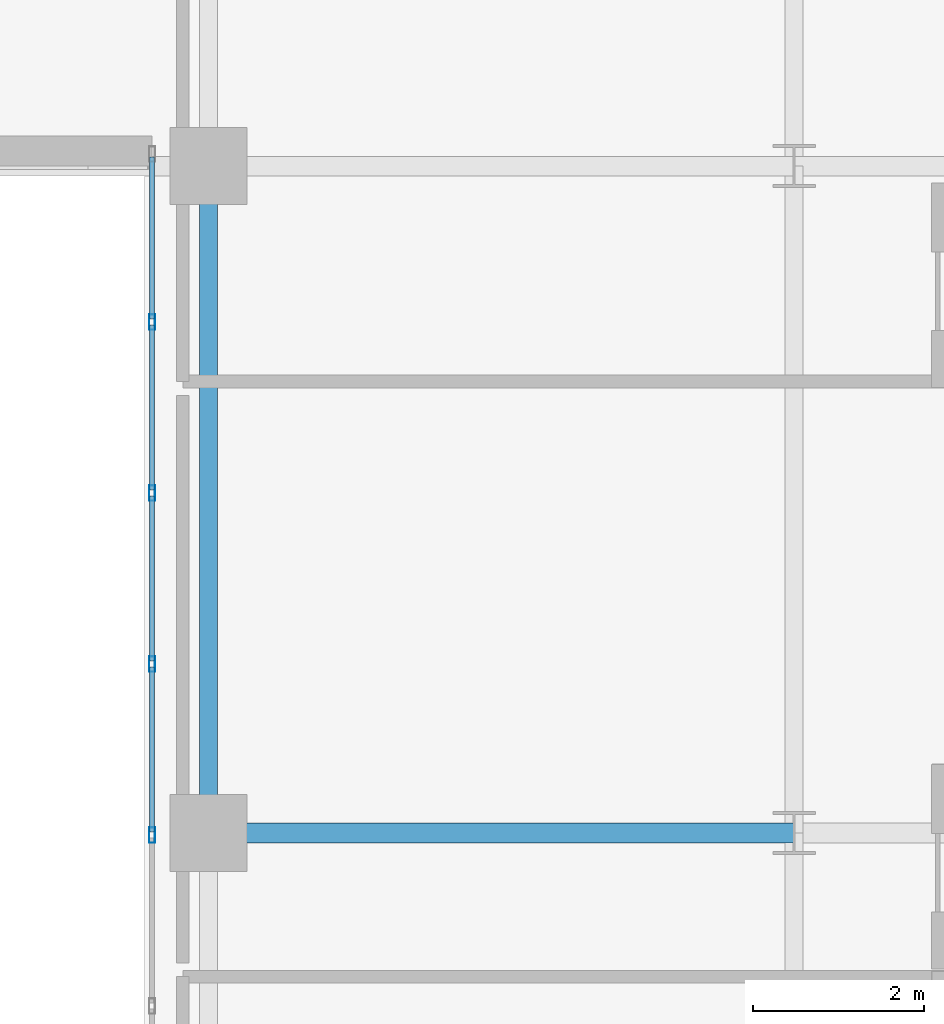
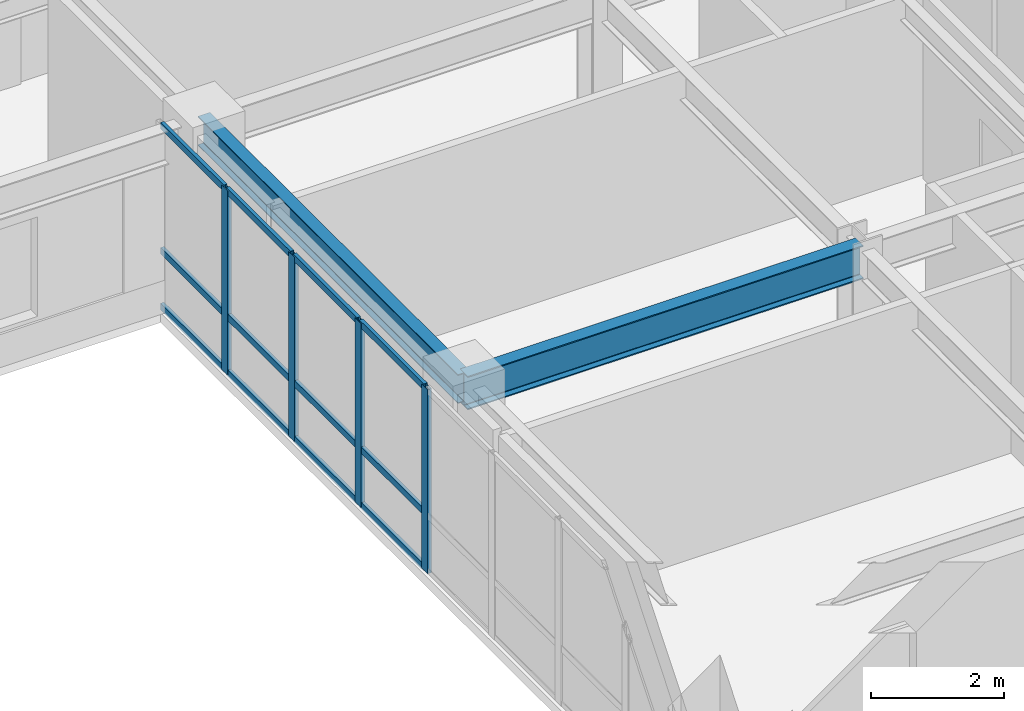
# One storey, part 9 of 25: 16 members, 2 beams, 1 element without a shape of its own.
"""IFC4 building model written with IfcOpenShell, lengths in metres."""

import ifcopenshell
import ifcopenshell.guid

model = None  # the IFC model being written
_history = None  # IfcOwnerHistory: only IFC2X3 demands one
_inside = {}  # id of a spatial element -> (the spatial element, [elements in it])
_under = {}  # id of a project, library or spatial element -> (it, [spatial elements below it])
_declared = {}  # id of a project -> (the project, [libraries it declares])
_typed = {}  # id of a type object -> (the type object, [elements of that type])
_made_of = {}  # id of a material, layer set ... -> (it, [elements and type objects made of it])


def new_model(schema):
    """Start an empty IFC model of exactly this schema.

    Asked for "IFC4X3", IfcOpenShell would pick the latest addendum, in which some entities
    have other attributes; the version numbers below select the first issue.
    IFC2X3 requires an IfcOwnerHistory on every rooted entity: one is made here for all.
    """
    global model, _history
    if schema == "IFC4X3":
        model = ifcopenshell.file(schema_version=(4, 3, 0, 0))
    else:
        model = ifcopenshell.file(schema=schema)
    _inside.clear()
    _under.clear()
    _declared.clear()
    _typed.clear()
    _made_of.clear()
    _history = None
    if model.schema == "IFC2X3":
        org = make("IfcOrganization", Name="unknown")
        user = make(
            "IfcPersonAndOrganization",
            ThePerson=make("IfcPerson", FamilyName="unknown"),
            TheOrganization=org,
        )
        app = make(
            "IfcApplication",
            ApplicationDeveloper=org,
            Version="unknown",
            ApplicationFullName="unknown",
            ApplicationIdentifier="unknown",
        )
        _history = make(
            "IfcOwnerHistory",
            OwningUser=user,
            OwningApplication=app,
            ChangeAction="ADDED",
            CreationDate=0,
        )
    return model


def make(cls, **values):
    """One entity of the class cls with the attributes given. An attribute that is None is left unset."""
    return model.create_entity(
        cls, **{name: value for name, value in values.items() if value is not None}
    )


def rooted(cls, **values):
    """An entity with a GlobalId (a new one), such as an element, a storey or a relation."""
    return make(cls, GlobalId=ifcopenshell.guid.new(), OwnerHistory=_history, **values)


def si_unit(unit_type, name, prefix=None):
    """IfcSIUnit, for example si_unit("LENGTHUNIT", "METRE", prefix="MILLI")."""
    return make("IfcSIUnit", UnitType=unit_type, Prefix=prefix, Name=name)


def assignment(units):
    """IfcUnitAssignment: the units of a project."""
    return None if units is None else make("IfcUnitAssignment", Units=units)


def point(xyz):
    """IfcCartesianPoint."""
    return None if xyz is None else make("IfcCartesianPoint", Coordinates=xyz)


def direction(xyz):
    """IfcDirection."""
    return None if xyz is None else make("IfcDirection", DirectionRatios=xyz)


def frame(location, z_axis=None, x_axis=None):
    """IfcAxis2Placement3D, a coordinate frame: its origin and axes. An axis left out is left unset."""
    return make(
        "IfcAxis2Placement3D",
        Location=point(location),
        Axis=direction(z_axis),
        RefDirection=direction(x_axis),
    )


def frame_2d(location, x_axis=None):
    """IfcAxis2Placement2D, a coordinate frame in the plane: its origin and x axis."""
    return make(
        "IfcAxis2Placement2D", Location=point(location), RefDirection=direction(x_axis)
    )


def origin():
    """The frame at (0, 0, 0) with its axes left unset."""
    return frame((0.0, 0.0, 0.0))


def origin_2d():
    """The frame at (0, 0) in the plane with its x axis left unset."""
    return frame_2d((0.0, 0.0))


def place(relative_to, where):
    """IfcLocalPlacement: puts the frame where relative to a parent placement (None: the world)."""
    return make(
        "IfcLocalPlacement", PlacementRelTo=relative_to, RelativePlacement=where
    )


def context(
    kind, dimensions, precision=None, world=None, true_north=None, identifier=None
):
    """IfcGeometricRepresentationContext, for example the 3D "Model" context."""
    return make(
        "IfcGeometricRepresentationContext",
        ContextIdentifier=identifier,
        ContextType=kind,
        CoordinateSpaceDimension=dimensions,
        Precision=precision,
        WorldCoordinateSystem=world,
        TrueNorth=true_north,
    )


def subcontext(parent, identifier, kind, view, scale=None):
    """IfcGeometricRepresentationSubContext, for example "Body" below "Model"."""
    return make(
        "IfcGeometricRepresentationSubContext",
        ContextIdentifier=identifier,
        ContextType=kind,
        ParentContext=parent,
        TargetScale=scale,
        TargetView=view,
    )


def project(units=None, contexts=None):
    """IfcProject with its units and contexts."""
    return rooted(
        "IfcProject",
        Name="project",
        RepresentationContexts=contexts,
        UnitsInContext=assignment(units),
    )


def spatial(cls, under=None, at=None, **own):
    """A site, building, storey or space (cls), placed at a placement, below another one or the project."""
    s = rooted(cls, ObjectPlacement=at, **own)
    if under is not None:
        _under.setdefault(under.id(), (under, []))[1].append(s)
    return s


def profile(cls, at=None, kind="AREA", **sizes):
    """A parametric profile (cls). Its sizes go by their IFC names, for example OverallWidth=200.0."""
    return make(cls, ProfileType=kind, Position=at, **sizes)


def hollow_rectangle(**sizes):
    """IfcRectangleHollowProfileDef."""
    return profile("IfcRectangleHollowProfileDef", **sizes)


def i_section(**sizes):
    """IfcIShapeProfileDef."""
    return profile("IfcIShapeProfileDef", **sizes)


def extrude(swept, where, along, depth):
    """IfcExtrudedAreaSolid: the profile swept, set in the frame where, extruded along a direction by depth."""
    return make(
        "IfcExtrudedAreaSolid",
        SweptArea=swept,
        Position=where,
        ExtrudedDirection=direction(along),
        Depth=depth,
    )


def shape(context_of_items, identifier, shape_type, items):
    """IfcShapeRepresentation: the items that make up one representation, for example the "Body"."""
    return make(
        "IfcShapeRepresentation",
        ContextOfItems=context_of_items,
        RepresentationIdentifier=identifier,
        RepresentationType=shape_type,
        Items=items,
    )


def source(mapping_origin, context_of_items, identifier, shape_type, items):
    """IfcRepresentationMap: a shape defined once, which mapped items show again and again."""
    return make(
        "IfcRepresentationMap",
        MappingOrigin=mapping_origin,
        MappedRepresentation=shape(context_of_items, identifier, shape_type, items),
    )


def transform(
    local_origin,
    x_axis=None,
    y_axis=None,
    z_axis=None,
    scale=None,
    scale2=None,
    scale3=None,
    uniform=True,
):
    """IfcCartesianTransformationOperator3D, or its non-uniform kind. x_axis, y_axis, z_axis: its Axis1, 2, 3."""
    if uniform:
        return make(
            "IfcCartesianTransformationOperator3D",
            Axis1=direction(x_axis),
            Axis2=direction(y_axis),
            LocalOrigin=point(local_origin),
            Scale=scale,
            Axis3=direction(z_axis),
        )
    return make(
        "IfcCartesianTransformationOperator3DnonUniform",
        Axis1=direction(x_axis),
        Axis2=direction(y_axis),
        LocalOrigin=point(local_origin),
        Scale=scale,
        Axis3=direction(z_axis),
        Scale2=scale2,
        Scale3=scale3,
    )


def mapped(mapping_source, mapping_target):
    """IfcMappedItem: shows the shape of a source again, moved by a transform."""
    return make(
        "IfcMappedItem", MappingSource=mapping_source, MappingTarget=mapping_target
    )


def material(Name=None, Category=None):
    """IfcMaterial."""
    return make("IfcMaterial", Name=Name, Category=Category)


def layer(
    of_material, thickness, ventilated=None, Name=None, Category=None, Priority=None
):
    """IfcMaterialLayer: one layer of a wall or slab, of a material (None: an air gap)."""
    return make(
        "IfcMaterialLayer",
        Material=of_material,
        LayerThickness=thickness,
        IsVentilated=ventilated,
        Name=Name,
        Category=Category,
        Priority=Priority,
    )


def layer_set(layers, Name=None):
    """IfcMaterialLayerSet."""
    return make("IfcMaterialLayerSet", MaterialLayers=layers, LayerSetName=Name)


def material_profile(
    of_material, cross_section, Name=None, Category=None, Priority=None
):
    """IfcMaterialProfile: a cross section and its material."""
    return make(
        "IfcMaterialProfile",
        Name=Name,
        Material=of_material,
        Profile=cross_section,
        Priority=Priority,
        Category=Category,
    )


def profile_set(profiles, Name=None, composite=None):
    """IfcMaterialProfileSet."""
    return make(
        "IfcMaterialProfileSet",
        Name=Name,
        MaterialProfiles=profiles,
        CompositeProfile=composite,
    )


def made_of(thing, what):
    """Note that an element or type object is made of a material, layer set ...; save() writes the relation."""
    if what is not None:
        _made_of.setdefault(what.id(), (what, []))[1].append(thing)
    return thing


def type_object(cls, material=None, **own):
    """A type object (cls), such as IfcWallType, which elements share."""
    return made_of(rooted(cls, **own), material)


def type_shapes(of_type, sources):
    """Give a type object the sources (RepresentationMaps) that its elements show as mapped items."""
    of_type.RepresentationMaps = sources


def element(
    cls,
    number,
    at=None,
    inside=None,
    cuts=None,
    type_object=None,
    material=None,
    context=None,
    identifier="Body",
    shape_type=None,
    held_by="IfcProductDefinitionShape",
    body=None,
    shapes=None,
    **own,
):
    """One element of the class cls, such as IfcWall. Its Tag is "e" and its number.

    at: its placement. inside: the storey or other place that contains it. cuts: it is an
    opening in that element (IfcRelVoidsElement). A single representation is given by context,
    identifier, shape_type and body (its items); several are given by shapes. held_by: the class
    of the entity that holds the representations. save() writes the other relations.
    """
    e = rooted(cls, Tag="e%d" % number, ObjectPlacement=at, **own)
    if body is not None:
        shapes = [shape(context, identifier, shape_type, body)]
    if shapes is not None:
        e.Representation = make(held_by, Representations=shapes)
    if inside is not None:
        _inside.setdefault(inside.id(), (inside, []))[1].append(e)
    if cuts is not None:
        rooted(
            "IfcRelVoidsElement", RelatingBuildingElement=cuts, RelatedOpeningElement=e
        )
    if type_object is not None:
        _typed.setdefault(type_object.id(), (type_object, []))[1].append(e)
    return made_of(e, material)


def aggregate(whole, parts):
    """IfcRelAggregates: a whole, such as a stair, and the parts it consists of."""
    return rooted("IfcRelAggregates", RelatingObject=whole, RelatedObjects=parts)


def save(model, path):
    """Write the relations noted so far, then the file.

    IfcRelAggregates (storeys below a building ...), IfcRelContainedInSpatialStructure (elements
    in a storey), IfcRelDefinesByType, IfcRelAssociatesMaterial and IfcRelDeclares: one each for
    every whole, place, type object, material and project.
    """
    for whole, parts in _under.values():
        aggregate(whole, parts)
    for where, things in _inside.values():
        rooted(
            "IfcRelContainedInSpatialStructure",
            RelatedElements=things,
            RelatingStructure=where,
        )
    for kind, things in _typed.values():
        rooted("IfcRelDefinesByType", RelatedObjects=things, RelatingType=kind)
    for what, things in _made_of.values():
        rooted("IfcRelAssociatesMaterial", RelatedObjects=things, RelatingMaterial=what)
    for by, libraries in _declared.values():
        rooted("IfcRelDeclares", RelatingContext=by, RelatedDefinitions=libraries)
    model.write(path)


model = new_model("IFC4")

# Units and contexts
model_context = context("Model", 3, precision=1e-05, world=origin(), true_north=direction((0.0, 1.0)))
body_context = subcontext(model_context, "Body", "Model", "MODEL_VIEW")
ifc_project = project(units=[si_unit("LENGTHUNIT", "METRE"), si_unit("AREAUNIT", "SQUARE_METRE"), si_unit("VOLUMEUNIT", "CUBIC_METRE"), si_unit("PLANEANGLEUNIT", "RADIAN"), si_unit("MASSUNIT", "GRAM", prefix="KILO")], contexts=[model_context])

# Site, building, storey
site_placement = place(None, origin())
site = spatial("IfcSite", under=ifc_project, at=site_placement, CompositionType="ELEMENT")
building_placement = place(site_placement, origin())
building = spatial("IfcBuilding", under=site, at=building_placement, Name="Tolvann Quenvar Hotel", CompositionType="ELEMENT")
storey_placement = place(building_placement, frame((0.0, 0.0, 132.85009765625)))
storey = spatial("IfcBuildingStorey", under=building, at=storey_placement, Name="L34", CompositionType="ELEMENT", Elevation=132.85009765625)

# Beams
ifc_material_1 = material(Name="Steel Grade 350", Category="steel")
ifc_material_profile_1 = material_profile(ifc_material_1, i_section(OverallWidth=0.22900390625, OverallDepth=0.612060546875, WebThickness=0.011962890625, FlangeThickness=0.01953125, FilletRadius=0.013916015625, at=origin_2d()), Name="610UB125")
ifc_profile_set_1 = profile_set([ifc_material_profile_1], Name="Steel Grade 350")
beam_type_1 = type_object("IfcBeamType", Name="BM_GIRD_610UB125", PredefinedType="BEAM", material=ifc_profile_set_1)
shared_shape_1 = source(origin(), body_context, "Body", "SweptSolid", [
    extrude(i_section(OverallWidth=0.22900390625, OverallDepth=0.612060546875, WebThickness=0.011962890625, FlangeThickness=0.01953125, FilletRadius=0.013916015625, at=origin_2d()), origin(), (0.0, 0.0, 1.0), 6.85009765625),
])
type_shapes(beam_type_1, [shared_shape_1])
beam_1_placement = place(storey_placement, frame((34.949951171875, 8.199951171875, 3.06396484375), z_axis=(1.0, 0.0, 0.0), x_axis=(0.0, 1.0, 0.0)))
element("IfcBeam", 1, at=beam_1_placement, inside=storey, type_object=beam_type_1, Name="BM-L34-EW-3-F3-H3", PredefinedType="BEAM", context=body_context, shape_type="MappedRepresentation", body=[
    mapped(shared_shape_1, transform((0.0, 0.0, 0.0), x_axis=(1.0, 0.0, 0.0), y_axis=(0.0, 1.0, 0.0), z_axis=(0.0, 0.0, 1.0), scale=1.0)),
])
ifc_material_profile_2 = material_profile(ifc_material_1, i_section(OverallWidth=0.208984375, OverallDepth=0.532958984375, WebThickness=0.01025390625, FlangeThickness=0.015625, FilletRadius=0.013916015625, at=origin_2d()), Name="530UB92")
ifc_profile_set_2 = profile_set([ifc_material_profile_2], Name="Steel Grade 350")
beam_type_2 = type_object("IfcBeamType", Name="BM_GIRD_530UB92", PredefinedType="BEAM", material=ifc_profile_set_2)
shared_shape_2 = source(origin(), body_context, "Body", "SweptSolid", [
    extrude(i_section(OverallWidth=0.208984375, OverallDepth=0.532958984375, WebThickness=0.01025390625, FlangeThickness=0.015625, FilletRadius=0.013916015625, at=origin_2d()), origin(), (0.0, 0.0, 1.0), 7.800048828125),
])
type_shapes(beam_type_2, [shared_shape_2])
beam_2_placement = place(storey_placement, frame((34.949951171875, 8.199951171875, 3.103515625), z_axis=(0.0, 1.0, 0.0), x_axis=(-1.0, 0.0, 0.0)))
element("IfcBeam", 2, at=beam_2_placement, inside=storey, type_object=beam_type_2, Name="BM-L34-NS-F3-F4", PredefinedType="BEAM", context=body_context, shape_type="MappedRepresentation", body=[
    mapped(shared_shape_2, transform((0.0, 0.0, 0.0), x_axis=(1.0, 0.0, 0.0), y_axis=(0.0, 1.0, 0.0), z_axis=(0.0, 0.0, 1.0), scale=1.0)),
])

# Curtain wall, members
ifc_material_2 = material(Name="Thermally broken anodised architectural aluminium 6063-T6 and laminated low-E glass", Category="aluminium")
ifc_layer = layer(ifc_material_2, 0.179931640625)
ifc_layer_set = layer_set([ifc_layer], Name="Thermally broken anodised architectural aluminium 6063-T6 and laminated low-E glass")
curtain_wall_type = type_object("IfcCurtainWallType", Name="CW_SYS_SLOT_03", PredefinedType="USERDEFINED", material=ifc_layer_set)
curtain_wall_placement = place(storey_placement, origin())
curtain_wall = element("IfcCurtainWall", 3, at=curtain_wall_placement, inside=storey, type_object=curtain_wall_type, Name="Curtain Wall CW-SLOT-03 (CWR-L34-E07)", ObjectType="UNITISED CURTAIN WALL", PredefinedType="USERDEFINED")
ifc_material_3 = material(Name="Anodised architectural aluminium 6063-T6 framing", Category="aluminium")
ifc_material_profile_3 = material_profile(ifc_material_3, hollow_rectangle(XDim=0.06005859375, YDim=0.1201171875, WallThickness=0.00341796875, at=origin_2d()), Name="120x60x3.5RHS")
ifc_profile_set_3 = profile_set([ifc_material_profile_3], Name="Anodised architectural aluminium 6063-T6 framing")
member_type_1 = type_object("IfcMemberType", Name="CW_TRAN_120x60", PredefinedType="USERDEFINED", material=ifc_profile_set_3)
shared_shape_3 = source(origin(), body_context, "Body", "SweptSolid", [
    extrude(hollow_rectangle(XDim=0.06005859375, YDim=0.1201171875, WallThickness=0.00341796875, at=origin_2d()), origin(), (0.0, 0.0, 1.0), 1.929931640625),
])
member_1_placement = place(storey_placement, frame((34.2900390625, 14.139892578125, 0.02978515625), z_axis=(0.0, -1.0, 0.0), x_axis=(1.0, 0.0, 0.0)))
member_1 = element("IfcMember", 4, at=member_1_placement, type_object=member_type_1, Name="CW-SLOT-03 transom 2.1", ObjectType="TRANSOM", PredefinedType="USERDEFINED", context=body_context, shape_type="MappedRepresentation", body=[
    mapped(shared_shape_3, transform((0.0, 0.0, 0.0), x_axis=(1.0, 0.0, 0.0), y_axis=(0.0, 1.0, 0.0), z_axis=(0.0, 0.0, 1.0), scale=1.0)),
])
member_2_placement = place(storey_placement, frame((34.2900390625, 14.139892578125, 1.0498046875), z_axis=(0.0, -1.0, 0.0), x_axis=(1.0, 0.0, 0.0)))
member_2 = element("IfcMember", 5, at=member_2_placement, type_object=member_type_1, Name="CW-SLOT-03 transom 2.2", ObjectType="TRANSOM", PredefinedType="USERDEFINED", context=body_context, shape_type="MappedRepresentation", body=[
    mapped(shared_shape_3, transform((0.0, 0.0, 0.0), x_axis=(1.0, 0.0, 0.0), y_axis=(0.0, 1.0, 0.0), z_axis=(0.0, 0.0, 1.0), scale=1.0)),
])
member_3_placement = place(storey_placement, frame((34.2900390625, 14.139892578125, 3.33984375), z_axis=(0.0, -1.0, 0.0), x_axis=(1.0, 0.0, 0.0)))
member_3 = element("IfcMember", 6, at=member_3_placement, type_object=member_type_1, Name="CW-SLOT-03 transom 2.3", ObjectType="TRANSOM", PredefinedType="USERDEFINED", context=body_context, shape_type="MappedRepresentation", body=[
    mapped(shared_shape_3, transform((0.0, 0.0, 0.0), x_axis=(1.0, 0.0, 0.0), y_axis=(0.0, 1.0, 0.0), z_axis=(0.0, 0.0, 1.0), scale=1.0)),
])
member_4_placement = place(storey_placement, frame((34.2900390625, 12.139892578125, 0.02978515625), z_axis=(0.0, -1.0, 0.0), x_axis=(1.0, 0.0, 0.0)))
member_4 = element("IfcMember", 7, at=member_4_placement, type_object=member_type_1, Name="CW-SLOT-03 transom 3.1", ObjectType="TRANSOM", PredefinedType="USERDEFINED", context=body_context, shape_type="MappedRepresentation", body=[
    mapped(shared_shape_3, transform((0.0, 0.0, 0.0), x_axis=(1.0, 0.0, 0.0), y_axis=(0.0, 1.0, 0.0), z_axis=(0.0, 0.0, 1.0), scale=1.0)),
])
member_5_placement = place(storey_placement, frame((34.2900390625, 12.139892578125, 1.0498046875), z_axis=(0.0, -1.0, 0.0), x_axis=(1.0, 0.0, 0.0)))
member_5 = element("IfcMember", 8, at=member_5_placement, type_object=member_type_1, Name="CW-SLOT-03 transom 3.2", ObjectType="TRANSOM", PredefinedType="USERDEFINED", context=body_context, shape_type="MappedRepresentation", body=[
    mapped(shared_shape_3, transform((0.0, 0.0, 0.0), x_axis=(1.0, 0.0, 0.0), y_axis=(0.0, 1.0, 0.0), z_axis=(0.0, 0.0, 1.0), scale=1.0)),
])
member_6_placement = place(storey_placement, frame((34.2900390625, 12.139892578125, 3.33984375), z_axis=(0.0, -1.0, 0.0), x_axis=(1.0, 0.0, 0.0)))
member_6 = element("IfcMember", 9, at=member_6_placement, type_object=member_type_1, Name="CW-SLOT-03 transom 3.3", ObjectType="TRANSOM", PredefinedType="USERDEFINED", context=body_context, shape_type="MappedRepresentation", body=[
    mapped(shared_shape_3, transform((0.0, 0.0, 0.0), x_axis=(1.0, 0.0, 0.0), y_axis=(0.0, 1.0, 0.0), z_axis=(0.0, 0.0, 1.0), scale=1.0)),
])
member_7_placement = place(storey_placement, frame((34.2900390625, 10.139892578125, 0.02978515625), z_axis=(0.0, -1.0, 0.0), x_axis=(1.0, 0.0, 0.0)))
member_7 = element("IfcMember", 10, at=member_7_placement, type_object=member_type_1, Name="CW-SLOT-03 transom 4.1", ObjectType="TRANSOM", PredefinedType="USERDEFINED", context=body_context, shape_type="MappedRepresentation", body=[
    mapped(shared_shape_3, transform((0.0, 0.0, 0.0), x_axis=(1.0, 0.0, 0.0), y_axis=(0.0, 1.0, 0.0), z_axis=(0.0, 0.0, 1.0), scale=1.0)),
])
member_8_placement = place(storey_placement, frame((34.2900390625, 10.139892578125, 1.0498046875), z_axis=(0.0, -1.0, 0.0), x_axis=(1.0, 0.0, 0.0)))
member_8 = element("IfcMember", 11, at=member_8_placement, type_object=member_type_1, Name="CW-SLOT-03 transom 4.2", ObjectType="TRANSOM", PredefinedType="USERDEFINED", context=body_context, shape_type="MappedRepresentation", body=[
    mapped(shared_shape_3, transform((0.0, 0.0, 0.0), x_axis=(1.0, 0.0, 0.0), y_axis=(0.0, 1.0, 0.0), z_axis=(0.0, 0.0, 1.0), scale=1.0)),
])
member_9_placement = place(storey_placement, frame((34.2900390625, 10.139892578125, 3.33984375), z_axis=(0.0, -1.0, 0.0), x_axis=(1.0, 0.0, 0.0)))
member_9 = element("IfcMember", 12, at=member_9_placement, type_object=member_type_1, Name="CW-SLOT-03 transom 4.3", ObjectType="TRANSOM", PredefinedType="USERDEFINED", context=body_context, shape_type="MappedRepresentation", body=[
    mapped(shared_shape_3, transform((0.0, 0.0, 0.0), x_axis=(1.0, 0.0, 0.0), y_axis=(0.0, 1.0, 0.0), z_axis=(0.0, 0.0, 1.0), scale=1.0)),
])
shared_shape_4 = source(origin(), body_context, "Body", "SweptSolid", [
    extrude(hollow_rectangle(XDim=0.06005859375, YDim=0.1201171875, WallThickness=0.00341796875, at=origin_2d()), origin(), (0.0, 0.0, 1.0), 1.89501953125),
])
type_shapes(member_type_1, [shared_shape_3, shared_shape_4])
member_10_placement = place(storey_placement, frame((34.2900390625, 16.10498046875, 0.02978515625), z_axis=(0.0, -1.0, 0.0), x_axis=(1.0, 0.0, 0.0)))
member_10 = element("IfcMember", 13, at=member_10_placement, type_object=member_type_1, Name="CW-SLOT-03 transom 1.1", ObjectType="TRANSOM", PredefinedType="USERDEFINED", context=body_context, shape_type="MappedRepresentation", body=[
    mapped(shared_shape_4, transform((0.0, 0.0, 0.0), x_axis=(1.0, 0.0, 0.0), y_axis=(0.0, 1.0, 0.0), z_axis=(0.0, 0.0, 1.0), scale=1.0)),
])
member_11_placement = place(storey_placement, frame((34.2900390625, 16.10498046875, 1.0498046875), z_axis=(0.0, -1.0, 0.0), x_axis=(1.0, 0.0, 0.0)))
member_11 = element("IfcMember", 14, at=member_11_placement, type_object=member_type_1, Name="CW-SLOT-03 transom 1.2", ObjectType="TRANSOM", PredefinedType="USERDEFINED", context=body_context, shape_type="MappedRepresentation", body=[
    mapped(shared_shape_4, transform((0.0, 0.0, 0.0), x_axis=(1.0, 0.0, 0.0), y_axis=(0.0, 1.0, 0.0), z_axis=(0.0, 0.0, 1.0), scale=1.0)),
])
member_12_placement = place(storey_placement, frame((34.2900390625, 16.10498046875, 3.33984375), z_axis=(0.0, -1.0, 0.0), x_axis=(1.0, 0.0, 0.0)))
member_12 = element("IfcMember", 15, at=member_12_placement, type_object=member_type_1, Name="CW-SLOT-03 transom 1.3", ObjectType="TRANSOM", PredefinedType="USERDEFINED", context=body_context, shape_type="MappedRepresentation", body=[
    mapped(shared_shape_4, transform((0.0, 0.0, 0.0), x_axis=(1.0, 0.0, 0.0), y_axis=(0.0, 1.0, 0.0), z_axis=(0.0, 0.0, 1.0), scale=1.0)),
])
ifc_material_profile_4 = material_profile(ifc_material_3, hollow_rectangle(XDim=0.070068359375, YDim=0.179931640625, WallThickness=0.00390625, at=origin_2d()), Name="180x70x4RHS")
ifc_profile_set_4 = profile_set([ifc_material_profile_4], Name="Anodised architectural aluminium 6063-T6 framing")
member_type_2 = type_object("IfcMemberType", Name="CW_MULL_180x70", PredefinedType="MULLION", material=ifc_profile_set_4)
shared_shape_5 = source(origin(), body_context, "Body", "SweptSolid", [
    extrude(hollow_rectangle(XDim=0.070068359375, YDim=0.179931640625, WallThickness=0.00390625, at=origin_2d()), origin(), (0.0, 0.0, 1.0), 3.369873046875),
])
type_shapes(member_type_2, [shared_shape_5])
member_13_placement = place(storey_placement, frame((34.2900390625, 14.175048828125, 0.0), z_axis=(0.0, 0.0, 1.0), x_axis=(1.0, 0.0, 0.0)))
member_13 = element("IfcMember", 16, at=member_13_placement, type_object=member_type_2, Name="CW-SLOT-03 mullion 2", PredefinedType="MULLION", context=body_context, shape_type="MappedRepresentation", body=[
    mapped(shared_shape_5, transform((0.0, 0.0, 0.0), x_axis=(1.0, 0.0, 0.0), y_axis=(0.0, 1.0, 0.0), z_axis=(0.0, 0.0, 1.0), scale=1.0)),
])
member_14_placement = place(storey_placement, frame((34.2900390625, 12.175048828125, 0.0), z_axis=(0.0, 0.0, 1.0), x_axis=(1.0, 0.0, 0.0)))
member_14 = element("IfcMember", 17, at=member_14_placement, type_object=member_type_2, Name="CW-SLOT-03 mullion 3", PredefinedType="MULLION", context=body_context, shape_type="MappedRepresentation", body=[
    mapped(shared_shape_5, transform((0.0, 0.0, 0.0), x_axis=(1.0, 0.0, 0.0), y_axis=(0.0, 1.0, 0.0), z_axis=(0.0, 0.0, 1.0), scale=1.0)),
])
member_15_placement = place(storey_placement, frame((34.2900390625, 10.175048828125, 0.0), z_axis=(0.0, 0.0, 1.0), x_axis=(1.0, 0.0, 0.0)))
member_15 = element("IfcMember", 18, at=member_15_placement, type_object=member_type_2, Name="CW-SLOT-03 mullion 4", PredefinedType="MULLION", context=body_context, shape_type="MappedRepresentation", body=[
    mapped(shared_shape_5, transform((0.0, 0.0, 0.0), x_axis=(1.0, 0.0, 0.0), y_axis=(0.0, 1.0, 0.0), z_axis=(0.0, 0.0, 1.0), scale=1.0)),
])
member_16_placement = place(storey_placement, frame((34.2900390625, 8.175048828125, 0.0), z_axis=(0.0, 0.0, 1.0), x_axis=(1.0, 0.0, 0.0)))
member_16 = element("IfcMember", 19, at=member_16_placement, type_object=member_type_2, Name="CW-SLOT-03 mullion 5", PredefinedType="MULLION", context=body_context, shape_type="MappedRepresentation", body=[
    mapped(shared_shape_5, transform((0.0, 0.0, 0.0), x_axis=(1.0, 0.0, 0.0), y_axis=(0.0, 1.0, 0.0), z_axis=(0.0, 0.0, 1.0), scale=1.0)),
])
aggregate(curtain_wall, [member_13, member_14, member_15, member_16, member_10, member_11, member_12, member_1, member_2, member_3, member_4, member_5, member_6, member_7, member_8, member_9])

save(model, "model.ifc")
